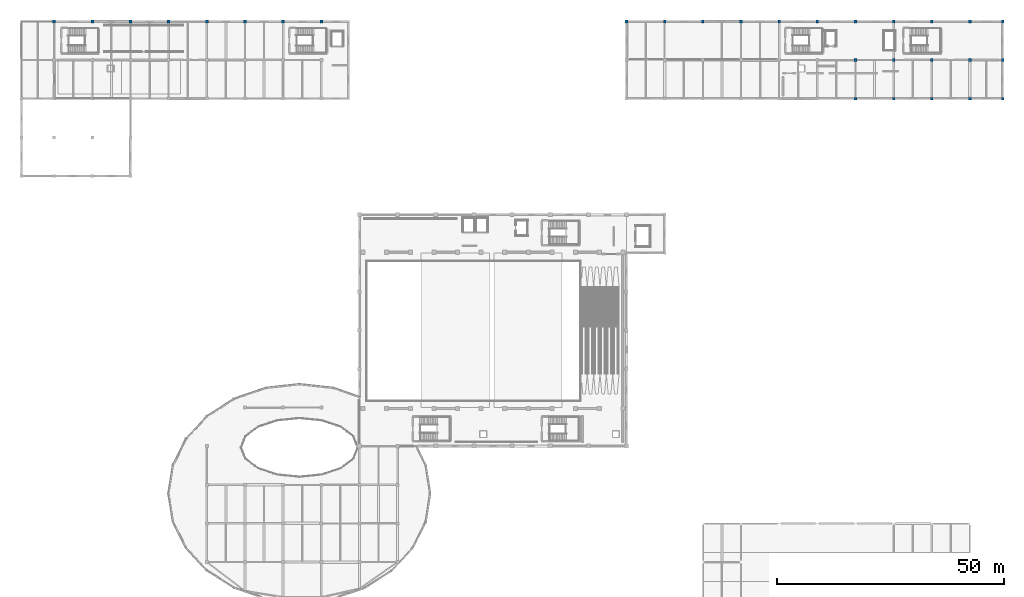
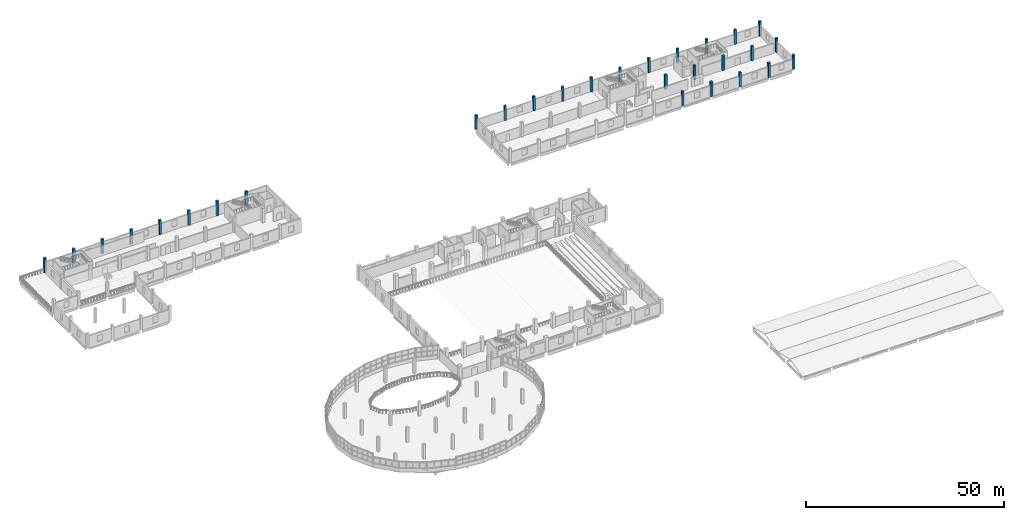
# One storey, part 2 of 50: 29 columns.
"""IFC4 building model written with IfcOpenShell, lengths in metres."""

from ifc_helpers import new_model, si_unit, direction, frame, origin, origin_2d, place, context, subcontext, project, spatial, rectangle, extrude, material, material_profile, profile_set, type_object, element, save


model = new_model("IFC4")

# Units and contexts
model_context = context("Model", 3, precision=1e-05, world=origin(), true_north=direction((0.0, 1.0)))
body_context = subcontext(model_context, "Body", "Model", "MODEL_VIEW")
ifc_project = project(units=[si_unit("LENGTHUNIT", "METRE"), si_unit("AREAUNIT", "SQUARE_METRE"), si_unit("VOLUMEUNIT", "CUBIC_METRE"), si_unit("PLANEANGLEUNIT", "RADIAN"), si_unit("MASSUNIT", "GRAM", prefix="KILO")], contexts=[model_context])

# Site, building, storey
site_placement = place(None, origin())
site = spatial("IfcSite", under=ifc_project, at=site_placement, CompositionType="ELEMENT")
building_placement = place(site_placement, origin())
building = spatial("IfcBuilding", under=site, at=building_placement, Name="Solvento Point Concert Hall", CompositionType="ELEMENT")
storey_placement = place(building_placement, frame((0.0, 0.0, 15.0)))
storey = spatial("IfcBuildingStorey", under=building, at=storey_placement, Name="L03", CompositionType="ELEMENT", Elevation=15.0)

# Columns
ifc_material_1 = material(Name="Concrete C40/50", Category="concrete")
ifc_material_profile_1 = material_profile(ifc_material_1, rectangle(XDim=0.60009765625, YDim=0.60009765625, at=origin_2d()), Name="RC-COL-600X600")
ifc_profile_set_1 = profile_set([ifc_material_profile_1], Name="Concrete C40/50")
column_type_1 = type_object("IfcColumnType", Name="Col_RC_600", PredefinedType="COLUMN", material=ifc_profile_set_1)
for number, where, z_axis, x_axis, name in (
    (1, (133.199951171875, 136.0, 0.0), (0.0, 0.0, 1.0), (1.0, 0.0, 0.0), "Column C-88 17/S L03"),
    (2, (141.60009765625, 136.0, 0.0), (0.0, 0.0, 1.0), (1.0, 0.0, 0.0), "Column C-88 18/S L03"),
    (3, (150.0, 136.0, 0.0), (0.0, 0.0, 1.0), (1.0, 0.0, 0.0), "Column C-88 19/S L03"),
    (4, (158.39990234375, 136.0, 0.0), (0.0, 0.0, 1.0), (1.0, 0.0, 0.0), "Column C-88 20/S L03"),
    (5, (166.800048828125, 136.0, 0.0), (0.0, 0.0, 1.0), (1.0, 0.0, 0.0), "Column C-88 21/S L03"),
    (6, (175.199951171875, 136.0, 0.0), (0.0, 0.0, 1.0), (1.0, 0.0, 0.0), "Column C-88 22/S L03"),
    (7, (183.60009765625, 119.0, 0.0), (0.0, 0.0, 1.0), (1.0, 0.0, 0.0), "Column C-88 23/Q L03"),
    (8, (183.60009765625, 127.5, 0.0), (0.0, 0.0, 1.0), (1.0, 0.0, 0.0), "Column C-88 23/R L03"),
    (9, (183.60009765625, 136.0, 0.0), (0.0, 0.0, 1.0), (1.0, 0.0, 0.0), "Column C-88 23/S L03"),
    (10, (192.0, 119.0, 0.0), (0.0, 0.0, 1.0), (1.0, 0.0, 0.0), "Column C-88 24/Q L03"),
    (11, (192.0, 127.5, 0.0), (0.0, 0.0, 1.0), (1.0, 0.0, 0.0), "Column C-88 24/R L03"),
    (12, (192.0, 136.0, 0.0), (0.0, 0.0, 1.0), (1.0, 0.0, 0.0), "Column C-88 24/S L03"),
    (13, (200.39990234375, 119.0, 0.0), (0.0, 0.0, 1.0), (1.0, 0.0, 0.0), "Column C-88 25/Q L03"),
    (14, (200.39990234375, 127.5, 0.0), (0.0, 0.0, 1.0), (1.0, 0.0, 0.0), "Column C-88 25/R L03"),
    (15, (200.39990234375, 136.0, 0.0), (0.0, 0.0, 1.0), (1.0, 0.0, 0.0), "Column C-88 25/S L03"),
    (16, (208.800048828125, 119.0, 0.0), (0.0, 0.0, 1.0), (1.0, 0.0, 0.0), "Column C-88 26/Q L03"),
    (17, (208.800048828125, 127.5, 0.0), (0.0, 0.0, 1.0), (1.0, 0.0, 0.0), "Column C-88 26/R L03"),
    (18, (208.800048828125, 136.0, 0.0), (0.0, 0.0, 1.0), (1.0, 0.0, 0.0), "Column C-88 26/S L03"),
    (19, (216.0, 119.0, 0.0), (0.0, 0.0, 1.0), (1.0, 0.0, 0.0), "Column C-88 27/Q L03"),
    (20, (216.0, 127.5, 0.0), (0.0, 0.0, 1.0), (1.0, 0.0, 0.0), "Column C-88 27/R L03"),
    (21, (216.0, 136.0, 0.0), (0.0, 0.0, 1.0), (1.0, 0.0, 0.0), "Column C-88 27/S L03"),
):
    element("IfcColumn", number, at=place(storey_placement, frame(where, z_axis=z_axis, x_axis=x_axis)), inside=storey, type_object=column_type_1, Name=name, PredefinedType="COLUMN", context=body_context, shape_type="SweptSolid", body=[
        extrude(rectangle(XDim=0.60009765625, YDim=0.60009765625, at=origin_2d()), origin(), (0.0, 0.0, 1.0), 4.5),
    ])
ifc_material_2 = material(Name="Concrete C40/50", Category="concrete")
ifc_material_profile_2 = material_profile(ifc_material_2, rectangle(XDim=0.64990234375, YDim=0.64990234375, at=origin_2d()), Name="RC-COL-650X650")
ifc_profile_set_2 = profile_set([ifc_material_profile_2], Name="Concrete C40/50")
column_type_2 = type_object("IfcColumnType", Name="Col_RC_650", PredefinedType="COLUMN", material=ifc_profile_set_2)
for number, where, z_axis, x_axis, name in (
    (22, (7.199951171875, 136.0, 0.0), (0.0, 0.0, 1.0), (1.0, 0.0, 0.0), "Column C-50 02/S L03"),
    (23, (15.60009765625, 136.0, 0.0), (0.0, 0.0, 1.0), (1.0, 0.0, 0.0), "Column C-50 03/S L03"),
    (24, (24.0, 136.0, 0.0), (0.0, 0.0, 1.0), (1.0, 0.0, 0.0), "Column C-50 04/S L03"),
    (25, (32.39990234375, 136.0, 0.0), (0.0, 0.0, 1.0), (1.0, 0.0, 0.0), "Column C-50 05/S L03"),
    (26, (40.800048828125, 136.0, 0.0), (0.0, 0.0, 1.0), (1.0, 0.0, 0.0), "Column C-50 06/S L03"),
    (27, (49.199951171875, 136.0, 0.0), (0.0, 0.0, 1.0), (1.0, 0.0, 0.0), "Column C-50 07/S L03"),
    (28, (57.60009765625, 136.0, 0.0), (0.0, 0.0, 1.0), (1.0, 0.0, 0.0), "Column C-50 08/S L03"),
    (29, (66.0, 136.0, 0.0), (0.0, 0.0, 1.0), (1.0, 0.0, 0.0), "Column C-50 09/S L03"),
):
    element("IfcColumn", number, at=place(storey_placement, frame(where, z_axis=z_axis, x_axis=x_axis)), inside=storey, type_object=column_type_2, Name=name, PredefinedType="COLUMN", context=body_context, shape_type="SweptSolid", body=[
        extrude(rectangle(XDim=0.64990234375, YDim=0.64990234375, at=origin_2d()), origin(), (0.0, 0.0, 1.0), 4.5),
    ])

save(model, "model.ifc")
